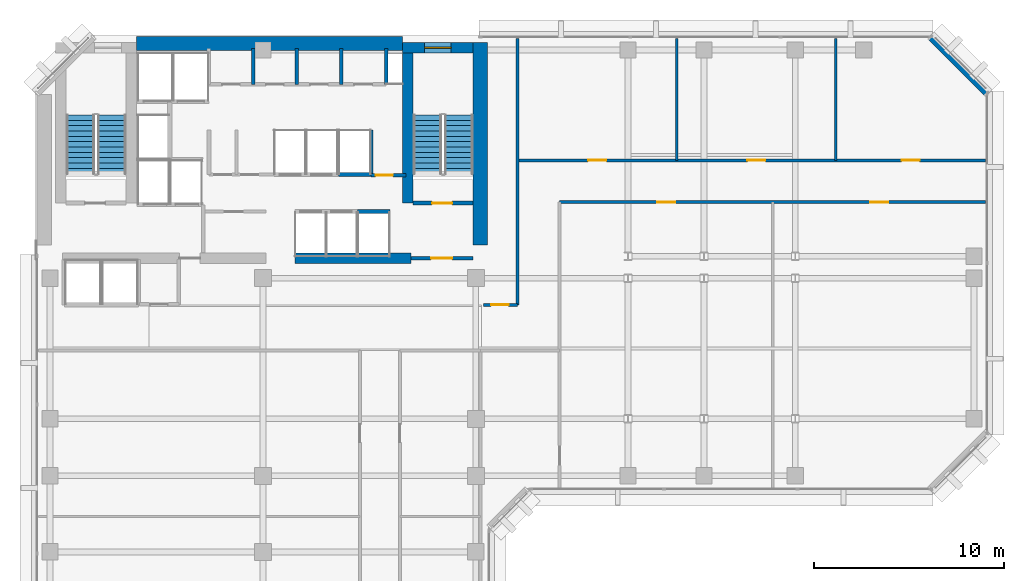
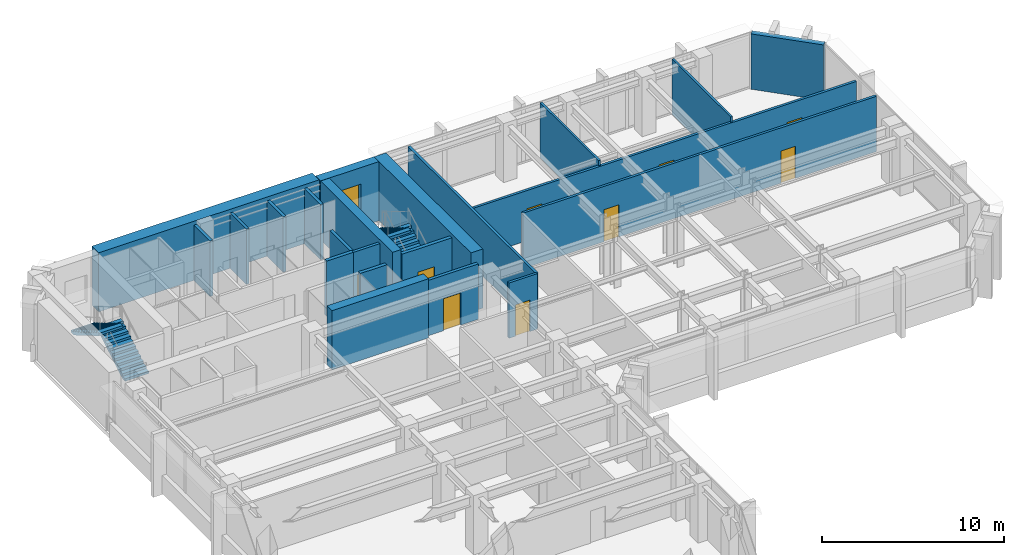
# One storey, part 8 of 11: 22 walls, 9 doors, 4 stair flights, 1 window, 10 openings, 2 elements without a shape of their own.
"""IFC4 building model written with IfcOpenShell, lengths in metres."""

from ifc_helpers import new_model, si_unit, direction, frame, frame_2d, origin, place, context, subcontext, project, spatial, polyline, rectangle, outline, extrude, material, layer, layer_set, type_object, element, fill, aggregate, save


model = new_model("IFC4")

# Units and contexts
model_context = context("Model", 3, precision=1e-05, world=origin(), true_north=direction((0.0, 1.0)))
body_context = subcontext(model_context, "Body", "Model", "MODEL_VIEW")
ifc_project = project(units=[si_unit("LENGTHUNIT", "METRE"), si_unit("AREAUNIT", "SQUARE_METRE"), si_unit("VOLUMEUNIT", "CUBIC_METRE"), si_unit("PLANEANGLEUNIT", "RADIAN"), si_unit("MASSUNIT", "GRAM", prefix="KILO")], contexts=[model_context])

# Site, building, storey
site_placement = place(None, origin())
site = spatial("IfcSite", under=ifc_project, at=site_placement, CompositionType="ELEMENT")
building_placement = place(site_placement, origin())
building = spatial("IfcBuilding", under=site, at=building_placement, Name="Kefirva Bronze Tower", CompositionType="ELEMENT")
storey_placement = place(building_placement, frame((0.0, 0.0, 179.52001953125)))
storey = spatial("IfcBuildingStorey", under=building, at=storey_placement, Name="L43", CompositionType="ELEMENT", Elevation=179.52001953125)

# Walls
ifc_material_1 = material(Name="Gypsum acoustic partition")
ifc_layer_1 = layer(ifc_material_1, 0.1298828125, Name="Gypsum acoustic partition")
ifc_layer_set_1 = layer_set([ifc_layer_1], Name="Gypsum acoustic partition")
wall_type_1 = type_object("IfcWallType", Name="Acoustic Office Partition 130mm", PredefinedType="PARTITIONING", material=ifc_layer_set_1)
for number, where, z_axis, x_axis, name in (
    (1, (33.767333984375, 39.39990234375, 0.0), (0.0, 0.0, 1.0), (0.0, 1.0, 0.0), "L43 Partition W-L43-END1"),
    (2, (42.134765625, 39.39990234375, 0.0), (0.0, 0.0, 1.0), (0.0, 1.0, 0.0), "L43 Partition W-L43-END2"),
):
    element("IfcWall", number, at=place(storey_placement, frame(where, z_axis=z_axis, x_axis=x_axis)), inside=storey, type_object=wall_type_1, Name=name, PredefinedType="PARTITIONING", context=body_context, shape_type="SweptSolid", body=[
        extrude(rectangle(XDim=6.41015625, YDim=0.1298828125, at=frame_2d((3.205078125, 0.0))), origin(), (0.0, 0.0, 1.0), 3.7099609375),
    ])

# Wall, opening, door
ifc_material_2 = material(Name="Gypsum fireboard shaftwall")
ifc_layer_2 = layer(ifc_material_2, 0.219970703125, Name="Gypsum fireboard shaftwall")
ifc_layer_set_2 = layer_set([ifc_layer_2], Name="Gypsum fireboard shaftwall")
wall_type_2 = type_object("IfcWallType", Name="Fire-Rated Shaft Enclosure Wall 220mm", PredefinedType="PARTITIONING", material=ifc_layer_set_2)
wall_1_placement = place(storey_placement, frame((19.89990234375, 37.14990234375, 0.0), z_axis=(0.0, 0.0, 1.0), x_axis=(1.0, 0.0, 0.0)))
wall_1 = element("IfcWall", 3, at=wall_1_placement, inside=storey, type_object=wall_type_2, Name="L43 Partition W-L43-ST2S", PredefinedType="PARTITIONING", context=body_context, shape_type="SweptSolid", body=[
    extrude(rectangle(XDim=3.150146484375, YDim=0.219970703125, at=frame_2d((1.5751953125, 0.0))), origin(), (0.0, 0.0, 1.0), 3.7099609375),
])
opening_1_placement = place(wall_1_placement, frame((2.050048828125, 0.0, 0.0), z_axis=(0.0, 0.0, 1.0), x_axis=(-1.0, 0.0, 0.0)))
opening_1 = element("IfcOpeningElement", 4, at=opening_1_placement, cuts=wall_1, Name="Opening L43-D003", PredefinedType="OPENING", context=body_context, shape_type="SweptSolid", body=[
    extrude(rectangle(XDim=1.050048828125, YDim=2.14990234375, at=frame_2d((0.52490234375, 1.074951171875))), frame((0.0, 0.1201171875, 0.0), z_axis=(0.0, -1.0, 0.0), x_axis=(1.0, 0.0, 0.0)), (0.0, 0.0, 1.0), 0.239990234375),
])
ifc_material_3 = material(Name="Painted galvanized steel", Category="steel")
door_type_1 = type_object("IfcDoorType", Name="Fire Stair Enclosure Door 1050x2150 FD90S", OperationType="NOTDEFINED", PredefinedType="DOOR", material=ifc_material_3)
door_1_placement = place(opening_1_placement, origin())
door_1 = element("IfcDoor", 5, at=door_1_placement, inside=storey, type_object=door_type_1, Name="Door L43-D003", OperationType="SINGLE_SWING_LEFT", OverallHeight=2.14990234375, OverallWidth=1.050048828125, PredefinedType="DOOR", context=body_context, shape_type="SweptSolid", body=[
    extrude(rectangle(XDim=1.050048828125, YDim=2.14990234375, at=frame_2d((0.52490234375, 1.074951171875))), frame((0.0, 0.02490234375, 0.0), z_axis=(0.0, -1.0, 0.0), x_axis=(1.0, 0.0, 0.0)), (0.0, 0.0, 1.0), 0.050048828125),
])
fill(opening_1, door_1)

# Walls
wall_2_placement = place(storey_placement, frame((17.679931640625, 38.64990234375, 0.0), z_axis=(0.0, 0.0, 1.0), x_axis=(0.0, 1.0, 0.0)))
element("IfcWall", 6, at=wall_2_placement, inside=storey, type_object=wall_type_2, Name="L43 Partition W-L43-HP2E", PredefinedType="PARTITIONING", context=body_context, shape_type="SweptSolid", body=[
    extrude(rectangle(XDim=2.35009765625, YDim=0.199951171875, at=frame_2d((1.175048828125, 0.0))), origin(), (0.0, 0.0, 1.0), 3.7099609375),
])
wall_3_placement = place(storey_placement, frame((16.97998046875, 36.699951171875, 0.0), z_axis=(0.0, 0.0, 1.0), x_axis=(1.0, 0.0, 0.0)))
element("IfcWall", 7, at=wall_3_placement, inside=storey, type_object=wall_type_2, Name="L43 Partition W-L43-HPS", PredefinedType="PARTITIONING", context=body_context, shape_type="SweptSolid", body=[
    extrude(rectangle(XDim=1.699951171875, YDim=0.219970703125, at=frame_2d((0.85009765625, 0.0))), origin(), (0.0, 0.0, 1.0), 3.7099609375),
])
wall_4_placement = place(storey_placement, frame((15.97998046875, 38.64990234375, 0.0), z_axis=(0.0, 0.0, 1.0), x_axis=(1.0, 0.0, 0.0)))
element("IfcWall", 8, at=wall_4_placement, inside=storey, type_object=wall_type_2, Name="L43 Partition W-L43-HPN", PredefinedType="PARTITIONING", context=body_context, shape_type="SweptSolid", body=[
    extrude(rectangle(XDim=1.719970703125, YDim=0.219970703125, at=frame_2d((0.85986328125, 0.0))), origin(), (0.0, 0.0, 1.0), 3.7099609375),
])

# Wall, opening, door
ifc_material_4 = material(Name="Gypsum fireboard barrier")
ifc_layer_3 = layer(ifc_material_4, 0.199951171875, Name="Gypsum fireboard barrier")
ifc_layer_set_3 = layer_set([ifc_layer_3], Name="Gypsum fireboard barrier")
wall_type_3 = type_object("IfcWallType", Name="Firefighting Lobby Barrier Wall 200mm", PredefinedType="PARTITIONING", material=ifc_layer_set_3)
wall_5_placement = place(storey_placement, frame((19.800048828125, 34.25, 0.0), z_axis=(0.0, 0.0, 1.0), x_axis=(1.0, 0.0, 0.0)))
wall_5 = element("IfcWall", 9, at=wall_5_placement, inside=storey, type_object=wall_type_3, Name="L43 Partition W-L43-ST2F", PredefinedType="PARTITIONING", context=body_context, shape_type="SweptSolid", body=[
    extrude(rectangle(XDim=3.25, YDim=0.199951171875, at=frame_2d((1.625, 0.0))), origin(), (0.0, 0.0, 1.0), 3.7099609375),
])
opening_2_placement = place(wall_5_placement, frame((2.150146484375, 0.0, 0.0), z_axis=(0.0, 0.0, 1.0), x_axis=(-1.0, 0.0, 0.0)))
opening_2 = element("IfcOpeningElement", 10, at=opening_2_placement, cuts=wall_5, Name="Opening L43-D004", PredefinedType="OPENING", context=body_context, shape_type="SweptSolid", body=[
    extrude(rectangle(XDim=1.10009765625, YDim=2.14990234375, at=frame_2d((0.550048828125, 1.074951171875))), frame((0.0, 0.10986328125, 0.0), z_axis=(0.0, -1.0, 0.0), x_axis=(1.0, 0.0, 0.0)), (0.0, 0.0, 1.0), 0.219970703125),
])
door_type_2 = type_object("IfcDoorType", Name="Firefighting Lobby Smoke Door 1100x2150 FD60S", OperationType="NOTDEFINED", PredefinedType="DOOR", material=ifc_material_3)
door_2_placement = place(opening_2_placement, origin())
door_2 = element("IfcDoor", 11, at=door_2_placement, inside=storey, type_object=door_type_2, Name="Door L43-D004", OperationType="SINGLE_SWING_RIGHT", OverallHeight=2.14990234375, OverallWidth=1.10009765625, PredefinedType="DOOR", context=body_context, shape_type="SweptSolid", body=[
    extrude(rectangle(XDim=1.10009765625, YDim=2.14990234375, at=frame_2d((0.550048828125, 1.074951171875))), frame((0.0, 0.02490234375, 0.0), z_axis=(0.0, -1.0, 0.0), x_axis=(1.0, 0.0, 0.0)), (0.0, 0.0, 1.0), 0.050048828125),
])
fill(opening_2, door_2)

wall_6_placement = place(storey_placement, frame((17.679931640625, 38.6201171875, 0.0), z_axis=(0.0, 0.0, 1.0), x_axis=(1.0, 0.0, 0.0)))
wall_6 = element("IfcWall", 12, at=wall_6_placement, inside=storey, type_object=wall_type_3, Name="L43 Partition W-L43-CPASS", PredefinedType="PARTITIONING", context=body_context, shape_type="SweptSolid", body=[
    extrude(rectangle(XDim=1.840087890625, YDim=0.179931640625, at=frame_2d((0.919921875, 0.0))), origin(), (0.0, 0.0, 1.0), 3.7099609375),
])
opening_3_placement = place(wall_6_placement, frame((0.239990234375, 0.0, 0.0)))
opening_3 = element("IfcOpeningElement", 13, at=opening_3_placement, cuts=wall_6, Name="Opening L43-D-CPAS", PredefinedType="OPENING", context=body_context, shape_type="SweptSolid", body=[
    extrude(rectangle(XDim=0.919921875, YDim=2.10009765625, at=frame_2d((0.4599609375, 1.050048828125))), frame((0.0, 0.10009765625, 0.0), z_axis=(0.0, -1.0, 0.0), x_axis=(1.0, 0.0, 0.0)), (0.0, 0.0, 1.0), 0.199951171875),
])
ifc_material_5 = material(Name="Moisture-resistant timber", Category="wood")
door_type_3 = type_object("IfcDoorType", Name="Accessible Sanitary & WC Door 920x2100", OperationType="NOTDEFINED", PredefinedType="DOOR", material=ifc_material_5)
door_3_placement = place(opening_3_placement, origin())
door_3 = element("IfcDoor", 14, at=door_3_placement, inside=storey, type_object=door_type_3, Name="Door L43-D-CPAS", OperationType="SINGLE_SWING_LEFT", OverallHeight=2.10009765625, OverallWidth=0.919921875, PredefinedType="DOOR", context=body_context, shape_type="SweptSolid", body=[
    extrude(rectangle(XDim=0.919921875, YDim=2.10009765625, at=frame_2d((0.4599609375, 1.050048828125))), frame((0.0, 0.02490234375, 0.0), z_axis=(0.0, -1.0, 0.0), x_axis=(1.0, 0.0, 0.0)), (0.0, 0.0, 1.0), 0.050048828125),
])
fill(opening_3, door_3)

# Walls
ifc_material_6 = material(Name="Precast concrete C40/50", Category="concrete")
ifc_layer_4 = layer(ifc_material_6, 0.320068359375, Name="Precast concrete C40/50")
ifc_layer_set_4 = layer_set([ifc_layer_4], Name="Precast concrete C40/50")
wall_type_4 = type_object("IfcWallType", Name="Precast Insulated Exterior Wall 320mm", PredefinedType="SOLIDWALL", material=ifc_layer_set_4)
wall_7_placement = place(storey_placement, frame((50.048095703125, 42.92578125, 0.0), z_axis=(0.0, 0.0, 1.0), x_axis=(-0.707136318428, 0.707077242712, 0.0)))
element("IfcWall", 15, at=wall_7_placement, inside=storey, type_object=wall_type_4, Name="L43 Exterior Facade Wall 4", PredefinedType="SOLIDWALL", context=body_context, shape_type="SweptSolid", body=[
    extrude(rectangle(XDim=4.132568359375, YDim=0.320068359375, at=frame_2d((2.06640625, 0.0))), origin(), (0.0, 0.0, 1.0), 3.7099609375),
])
ifc_layer_5 = layer(ifc_material_1, 0.159912109375, Name="Gypsum acoustic partition")
ifc_layer_set_5 = layer_set([ifc_layer_5], Name="Gypsum acoustic partition")
wall_type_5 = type_object("IfcWallType", Name="Protected Corridor Partition 160mm", PredefinedType="PARTITIONING", material=ifc_layer_set_5)
wall_8_placement = place(storey_placement, frame((25.39990234375, 31.800048828125, 0.0), z_axis=(0.0, 0.0, 1.0), x_axis=(0.0, 1.0, 0.0)))
element("IfcWall", 16, at=wall_8_placement, inside=storey, type_object=wall_type_5, Name="L43 Partition W-L43-ELKW", PredefinedType="PARTITIONING", context=body_context, shape_type="SweptSolid", body=[
    extrude(rectangle(XDim=14.010009765625, YDim=0.159912109375, at=frame_2d((7.0048828125, 0.0))), origin(), (0.0, 0.0, 1.0), 3.7099609375),
])

# Wall, openings, doors
wall_9_placement = place(storey_placement, frame((27.60009765625, 37.199951171875, 0.0), z_axis=(0.0, 0.0, 1.0), x_axis=(1.0, 0.0, 0.0)))
wall_9 = element("IfcWall", 17, at=wall_9_placement, inside=storey, type_object=wall_type_5, Name="L43 Partition W-L43-ECS", PredefinedType="PARTITIONING", context=body_context, shape_type="SweptSolid", body=[
    extrude(rectangle(XDim=22.409912109375, YDim=0.159912109375, at=frame_2d((11.205078125, 0.0))), origin(), (0.0, 0.0, 1.0), 3.7099609375),
])
opening_4_placement = place(wall_9_placement, frame((6.077392578125, 0.0, 0.0), z_axis=(0.0, 0.0, 1.0), x_axis=(-1.0, 0.0, 0.0)))
opening_4 = element("IfcOpeningElement", 18, at=opening_4_placement, cuts=wall_9, Name="Opening L43-D-ES1", PredefinedType="OPENING", context=body_context, shape_type="SweptSolid", body=[
    extrude(rectangle(XDim=0.949951171875, YDim=2.14990234375, at=frame_2d((0.47509765625, 1.074951171875))), frame((0.0, 0.08984375, 0.0), z_axis=(0.0, -1.0, 0.0), x_axis=(1.0, 0.0, 0.0)), (0.0, 0.0, 1.0), 0.179931640625),
])
opening_5_placement = place(wall_9_placement, frame((17.282470703125, 0.0, 0.0), z_axis=(0.0, 0.0, 1.0), x_axis=(-1.0, 0.0, 0.0)))
opening_5 = element("IfcOpeningElement", 19, at=opening_5_placement, cuts=wall_9, Name="Opening L43-D-ES2", PredefinedType="OPENING", context=body_context, shape_type="SweptSolid", body=[
    extrude(rectangle(XDim=0.949951171875, YDim=2.14990234375, at=frame_2d((0.47509765625, 1.074951171875))), frame((0.0, 0.08984375, 0.0), z_axis=(0.0, -1.0, 0.0), x_axis=(1.0, 0.0, 0.0)), (0.0, 0.0, 1.0), 0.179931640625),
])
ifc_material_7 = material(Name="Acoustic hardwood oak", Category="wood")
door_type_4 = type_object("IfcDoorType", Name="Office & Meeting Room Door 950x2150", OperationType="NOTDEFINED", PredefinedType="DOOR", material=ifc_material_7)
door_4_placement = place(opening_4_placement, origin())
door_4 = element("IfcDoor", 20, at=door_4_placement, inside=storey, type_object=door_type_4, Name="Door L43-D-ES1", OperationType="SINGLE_SWING_LEFT", OverallHeight=2.14990234375, OverallWidth=0.949951171875, PredefinedType="DOOR", context=body_context, shape_type="SweptSolid", body=[
    extrude(rectangle(XDim=0.949951171875, YDim=2.14990234375, at=frame_2d((0.47509765625, 1.074951171875))), frame((0.0, 0.02490234375, 0.0), z_axis=(0.0, -1.0, 0.0), x_axis=(1.0, 0.0, 0.0)), (0.0, 0.0, 1.0), 0.050048828125),
])
fill(opening_4, door_4)
door_5_placement = place(opening_5_placement, origin())
door_5 = element("IfcDoor", 21, at=door_5_placement, inside=storey, type_object=door_type_4, Name="Door L43-D-ES2", OperationType="SINGLE_SWING_RIGHT", OverallHeight=2.14990234375, OverallWidth=0.949951171875, PredefinedType="DOOR", context=body_context, shape_type="SweptSolid", body=[
    extrude(rectangle(XDim=0.949951171875, YDim=2.14990234375, at=frame_2d((0.47509765625, 1.074951171875))), frame((0.0, 0.02490234375, 0.0), z_axis=(0.0, -1.0, 0.0), x_axis=(1.0, 0.0, 0.0)), (0.0, 0.0, 1.0), 0.050048828125),
])
fill(opening_5, door_5)

wall_10_placement = place(storey_placement, frame((25.39990234375, 39.39990234375, 0.0), z_axis=(0.0, 0.0, 1.0), x_axis=(1.0, 0.0, 0.0)))
wall_10 = element("IfcWall", 22, at=wall_10_placement, inside=storey, type_object=wall_type_5, Name="L43 Partition W-L43-ECN", PredefinedType="PARTITIONING", context=body_context, shape_type="SweptSolid", body=[
    extrude(rectangle(XDim=24.610107421875, YDim=0.159912109375, at=frame_2d((12.30517578125, 0.0))), origin(), (0.0, 0.0, 1.0), 3.364990234375),
])
opening_6_placement = place(wall_10_placement, frame((3.708740234375, 0.0, 0.0)))
opening_6 = element("IfcOpeningElement", 23, at=opening_6_placement, cuts=wall_10, Name="Opening L43-D-EN1", PredefinedType="OPENING", context=body_context, shape_type="SweptSolid", body=[
    extrude(rectangle(XDim=0.949951171875, YDim=2.14990234375, at=frame_2d((0.47509765625, 1.074951171875))), frame((0.0, 0.08984375, 0.0), z_axis=(0.0, -1.0, 0.0), x_axis=(1.0, 0.0, 0.0)), (0.0, 0.0, 1.0), 0.179931640625),
])
opening_7_placement = place(wall_10_placement, frame((12.076171875, 0.0, 0.0)))
opening_7 = element("IfcOpeningElement", 24, at=opening_7_placement, cuts=wall_10, Name="Opening L43-D-EN2", PredefinedType="OPENING", context=body_context, shape_type="SweptSolid", body=[
    extrude(rectangle(XDim=0.949951171875, YDim=2.14990234375, at=frame_2d((0.47509765625, 1.074951171875))), frame((0.0, 0.08984375, 0.0), z_axis=(0.0, -1.0, 0.0), x_axis=(1.0, 0.0, 0.0)), (0.0, 0.0, 1.0), 0.179931640625),
])
opening_8_placement = place(wall_10_placement, frame((20.197509765625, 0.0, 0.0)))
opening_8 = element("IfcOpeningElement", 25, at=opening_8_placement, cuts=wall_10, Name="Opening L43-D-EN3", PredefinedType="OPENING", context=body_context, shape_type="SweptSolid", body=[
    extrude(rectangle(XDim=0.949951171875, YDim=2.14990234375, at=frame_2d((0.47509765625, 1.074951171875))), frame((0.0, 0.08984375, 0.0), z_axis=(0.0, -1.0, 0.0), x_axis=(1.0, 0.0, 0.0)), (0.0, 0.0, 1.0), 0.179931640625),
])
door_6_placement = place(opening_6_placement, origin())
door_6 = element("IfcDoor", 26, at=door_6_placement, inside=storey, type_object=door_type_4, Name="Door L43-D-EN1", OperationType="SINGLE_SWING_LEFT", OverallHeight=2.14990234375, OverallWidth=0.949951171875, PredefinedType="DOOR", context=body_context, shape_type="SweptSolid", body=[
    extrude(rectangle(XDim=0.949951171875, YDim=2.14990234375, at=frame_2d((0.47509765625, 1.074951171875))), frame((0.0, 0.02490234375, 0.0), z_axis=(0.0, -1.0, 0.0), x_axis=(1.0, 0.0, 0.0)), (0.0, 0.0, 1.0), 0.050048828125),
])
fill(opening_6, door_6)
door_7_placement = place(opening_7_placement, origin())
door_7 = element("IfcDoor", 27, at=door_7_placement, inside=storey, type_object=door_type_4, Name="Door L43-D-EN2", OperationType="SINGLE_SWING_RIGHT", OverallHeight=2.14990234375, OverallWidth=0.949951171875, PredefinedType="DOOR", context=body_context, shape_type="SweptSolid", body=[
    extrude(rectangle(XDim=0.949951171875, YDim=2.14990234375, at=frame_2d((0.47509765625, 1.074951171875))), frame((0.0, 0.02490234375, 0.0), z_axis=(0.0, -1.0, 0.0), x_axis=(1.0, 0.0, 0.0)), (0.0, 0.0, 1.0), 0.050048828125),
])
fill(opening_7, door_7)
door_8_placement = place(opening_8_placement, origin())
door_8 = element("IfcDoor", 28, at=door_8_placement, inside=storey, type_object=door_type_4, Name="Door L43-D-EN3", OperationType="SINGLE_SWING_LEFT", OverallHeight=2.14990234375, OverallWidth=0.949951171875, PredefinedType="DOOR", context=body_context, shape_type="SweptSolid", body=[
    extrude(rectangle(XDim=0.949951171875, YDim=2.14990234375, at=frame_2d((0.47509765625, 1.074951171875))), frame((0.0, 0.02490234375, 0.0), z_axis=(0.0, -1.0, 0.0), x_axis=(1.0, 0.0, 0.0)), (0.0, 0.0, 1.0), 0.050048828125),
])
fill(opening_8, door_8)

# Wall, opening, door
wall_11_placement = place(storey_placement, frame((23.60009765625, 31.800048828125, 0.0), z_axis=(0.0, 0.0, 1.0), x_axis=(1.0, 0.0, 0.0)))
wall_11 = element("IfcWall", 29, at=wall_11_placement, inside=storey, type_object=wall_type_5, Name="L43 Partition W-L43-EPKS", PredefinedType="PARTITIONING", context=body_context, shape_type="SweptSolid", body=[
    extrude(rectangle(XDim=1.7998046875, YDim=0.159912109375, at=frame_2d((0.89990234375, 0.0))), origin(), (0.0, 0.0, 1.0), 3.7099609375),
])
opening_9_placement = place(wall_11_placement, frame((0.39990234375, 0.0, 0.0)))
opening_9 = element("IfcOpeningElement", 30, at=opening_9_placement, cuts=wall_11, Name="Opening L43-D-EPK", PredefinedType="OPENING", context=body_context, shape_type="SweptSolid", body=[
    extrude(rectangle(XDim=0.919921875, YDim=2.10009765625, at=frame_2d((0.4599609375, 1.050048828125))), frame((0.0, 0.08984375, 0.0), z_axis=(0.0, -1.0, 0.0), x_axis=(1.0, 0.0, 0.0)), (0.0, 0.0, 1.0), 0.179931640625),
])
door_9_placement = place(opening_9_placement, origin())
door_9 = element("IfcDoor", 31, at=door_9_placement, inside=storey, type_object=door_type_3, Name="Door L43-D-EPK", OperationType="SINGLE_SWING_LEFT", OverallHeight=2.10009765625, OverallWidth=0.919921875, PredefinedType="DOOR", context=body_context, shape_type="SweptSolid", body=[
    extrude(rectangle(XDim=0.919921875, YDim=2.10009765625, at=frame_2d((0.4599609375, 1.050048828125))), frame((0.0, 0.02490234375, 0.0), z_axis=(0.0, -1.0, 0.0), x_axis=(1.0, 0.0, 0.0)), (0.0, 0.0, 1.0), 0.050048828125),
])
fill(opening_9, door_9)

# Wall, opening, window
ifc_material_8 = material(Name="Concrete C50/60", Category="concrete")
ifc_layer_6 = layer(ifc_material_8, 0.550048828125, Name="Concrete C50/60")
ifc_layer_set_6 = layer_set([ifc_layer_6], Name="Concrete C50/60")
wall_type_6 = type_object("IfcWallType", Name="RC Rear Core Exterior Wall 550mm", PredefinedType="SHEAR", material=ifc_layer_set_6)
wall_12_placement = place(storey_placement, frame((19.35009765625, 45.320068359375, 0.0), z_axis=(0.0, 0.0, 1.0), x_axis=(1.0, 0.0, 0.0)))
wall_12 = element("IfcWall", 32, at=wall_12_placement, inside=storey, type_object=wall_type_6, Name="L43 Stair 2 North Shear Wall", PredefinedType="SHEAR", context=body_context, shape_type="SweptSolid", body=[
    extrude(rectangle(XDim=3.68994140625, YDim=0.550048828125, at=frame_2d((1.844970703125, 0.0))), origin(), (0.0, 0.0, 1.0), 3.9599609375),
])
opening_10_placement = place(wall_12_placement, frame((1.14990234375, 0.0, 1.050048828125)))
opening_10 = element("IfcOpeningElement", 33, at=opening_10_placement, cuts=wall_12, Name="Opening WN-03", PredefinedType="OPENING", context=body_context, shape_type="SweptSolid", body=[
    extrude(rectangle(XDim=1.39990234375, YDim=1.800048828125, at=frame_2d((0.699951171875, 0.89990234375))), frame((0.0, 0.28515625, 0.0), z_axis=(0.0, -1.0, 0.0), x_axis=(1.0, 0.0, 0.0)), (0.0, 0.0, 1.0), 0.570068359375),
])
ifc_material_9 = material(Name="Laminated low-E double glazing", Category="glass")
window_type = type_object("IfcWindowType", Name="Rear-Core Stair Daylight Window 1400x1800", PartitioningType="SINGLE_PANEL", PredefinedType="WINDOW", material=ifc_material_9)
window_placement = place(opening_10_placement, origin())
window = element("IfcWindow", 34, at=window_placement, inside=storey, type_object=window_type, Name="L43 Stair 2 Daylight Window", OverallHeight=1.800048828125, OverallWidth=1.39990234375, PartitioningType="SINGLE_PANEL", PredefinedType="WINDOW", context=body_context, shape_type="SweptSolid", body=[
    extrude(rectangle(XDim=1.39990234375, YDim=1.800048828125, at=frame_2d((0.699951171875, 0.89990234375))), frame((0.0, 0.030029296875, 0.0), z_axis=(0.0, -1.0, 0.0), x_axis=(1.0, 0.0, 0.0)), (0.0, 0.0, 1.0), 0.06005859375),
])
fill(opening_10, window)

# Walls
ifc_material_10 = material(Name="Concrete C60/75", Category="concrete")
ifc_layer_7 = layer(ifc_material_10, 0.75, Name="Concrete C60/75")
ifc_layer_set_7 = layer_set([ifc_layer_7], Name="Concrete C60/75")
wall_type_7 = type_object("IfcWallType", Name="RC Rear Core Exterior Wall 750mm", PredefinedType="SHEAR", material=ifc_layer_set_7)
wall_13_placement = place(storey_placement, frame((5.360107421875, 45.550048828125, 0.0), z_axis=(0.0, 0.0, 1.0), x_axis=(1.0, 0.0, 0.0)))
element("IfcWall", 35, at=wall_13_placement, inside=storey, type_object=wall_type_7, Name="L43 Rear Core North Shear Wall", PredefinedType="SHEAR", context=body_context, shape_type="SweptSolid", body=[
    extrude(rectangle(XDim=13.97998046875, YDim=0.75, at=frame_2d((6.989990234375, 0.0))), origin(), (0.0, 0.0, 1.0), 3.9599609375),
])
ifc_layer_8 = layer(ifc_material_8, 0.550048828125, Name="Concrete C50/60")
ifc_layer_set_8 = layer_set([ifc_layer_8], Name="Concrete C50/60")
wall_type_8 = type_object("IfcWallType", Name="RC Rear Core Interior Wall 550mm", PredefinedType="SHEAR", material=ifc_layer_set_8)
wall_14_placement = place(storey_placement, frame((19.6201171875, 37.14990234375, 0.0), z_axis=(0.0, 0.0, 1.0), x_axis=(0.0, 1.0, 0.0)))
element("IfcWall", 36, at=wall_14_placement, inside=storey, type_object=wall_type_8, Name="L43 Stair 2 West Shear Wall", PredefinedType="SHEAR", context=body_context, shape_type="SweptSolid", body=[
    extrude(rectangle(XDim=7.89013671875, YDim=0.550048828125, at=frame_2d((3.945068359375, 0.0))), origin(), (0.0, 0.0, 1.0), 3.9599609375),
])
ifc_layer_9 = layer(ifc_material_10, 0.75, Name="Concrete C60/75")
ifc_layer_set_9 = layer_set([ifc_layer_9], Name="Concrete C60/75")
wall_type_9 = type_object("IfcWallType", Name="RC Rear Core Interior Wall 750mm", PredefinedType="SHEAR", material=ifc_layer_set_9)
wall_15_placement = place(storey_placement, frame((23.425048828125, 34.949951171875, 0.0), z_axis=(0.0, 0.0, 1.0), x_axis=(0.0, 1.0, 0.0)))
element("IfcWall", 37, at=wall_15_placement, inside=storey, type_object=wall_type_9, Name="L43 Rear Core East Shear Wall", PredefinedType="SHEAR", context=body_context, shape_type="SweptSolid", body=[
    extrude(rectangle(XDim=10.64013671875, YDim=0.75, at=frame_2d((5.320068359375, 0.0))), origin(), (0.0, 0.0, 1.0), 3.9599609375),
])
wall_16_placement = place(storey_placement, frame((13.679931640625, 34.25, 0.0), z_axis=(0.0, 0.0, 1.0), x_axis=(1.0, 0.0, 0.0)))
element("IfcWall", 38, at=wall_16_placement, inside=storey, type_object=wall_type_9, Name="L43 Rear Core South-East Shear Wall", PredefinedType="SHEAR", context=body_context, shape_type="SweptSolid", body=[
    extrude(rectangle(XDim=6.1201171875, YDim=0.550048828125, at=frame_2d((3.06005859375, 0.0))), origin(), (0.0, 0.0, 1.0), 3.9599609375),
])
ifc_material_11 = material(Name="Moisture-resistant partition")
ifc_layer_10 = layer(ifc_material_11, 0.179931640625, Name="Moisture-resistant partition")
ifc_layer_set_10 = layer_set([ifc_layer_10], Name="Moisture-resistant partition")
wall_type_10 = type_object("IfcWallType", Name="Sanitary Plumbing Chase Wall 180mm", PredefinedType="PLUMBINGWALL", material=ifc_layer_set_10)
for number, where, z_axis, x_axis, name in (
    (39, (18.47998046875, 43.39990234375, 0.0), (0.0, 0.0, 1.0), (0.0, 1.0, 0.0), "L43 Partition W-L43-SVCE"),
    (40, (11.47998046875, 43.39990234375, 0.0), (0.0, 0.0, 1.0), (0.0, 1.0, 0.0), "L43 Partition W-L43-CSVD-1"),
    (41, (13.780029296875, 43.39990234375, 0.0), (0.0, 0.0, 1.0), (0.0, 1.0, 0.0), "L43 Partition W-L43-CSVD-2"),
    (42, (16.1201171875, 43.39990234375, 0.0), (0.0, 0.0, 1.0), (0.0, 1.0, 0.0), "L43 Partition W-L43-CSVD-3"),
):
    element("IfcWall", number, at=place(storey_placement, frame(where, z_axis=z_axis, x_axis=x_axis)), inside=storey, type_object=wall_type_10, Name=name, PredefinedType="PLUMBINGWALL", context=body_context, shape_type="SweptSolid", body=[
        extrude(rectangle(XDim=1.880126953125, YDim=0.179931640625, at=frame_2d((0.93994140625, 0.0))), origin(), (0.0, 0.0, 1.0), 3.7099609375),
    ])

# Stair, stair flights
ifc_material_12 = material(Name="Concrete C40/50", Category="concrete")
stair_type = type_object("IfcStairType", Name="RC Dogleg Protected Stair 24R", PredefinedType="HALF_TURN_STAIR", material=ifc_material_12)
stair_1_placement = place(storey_placement, origin())
stair_1 = element("IfcStair", 43, at=stair_1_placement, inside=storey, type_object=stair_type, Name="L43 Protected Exit Stair 1", PredefinedType="HALF_TURN_STAIR")
stair_flight_type = type_object("IfcStairFlightType", Name="RC Straight Stair Flight 24R", PredefinedType="STRAIGHT", material=ifc_material_12)
stair_flight_1_placement = place(storey_placement, frame((4.050048828125, 38.699951171875, 0.0), z_axis=(0.0, 0.0, 1.0), x_axis=(0.0, 1.0, 0.0)))
stair_flight_1 = element("IfcStairFlight", 44, at=stair_flight_1_placement, type_object=stair_flight_type, Name="ST-1 flight 1", NumberOfRisers=12, NumberOfTreads=11, PredefinedType="STRAIGHT", RiserHeight=0.165, TreadLength=0.28, context=body_context, shape_type="SweptSolid", body=[
    extrude(outline(polyline([(0.0, 0.0), (0.0, 0.1650390625), (0.280029296875, 0.1650390625), (0.280029296875, 0.330078125), (0.56005859375, 0.330078125), (0.56005859375, 0.4951171875), (0.840087890625, 0.4951171875), (0.840087890625, 0.659912109375), (1.1201171875, 0.659912109375), (1.1201171875, 0.824951171875), (1.39990234375, 0.824951171875), (1.39990234375, 0.989990234375), (1.679931640625, 0.989990234375), (1.679931640625, 1.155029296875), (1.9599609375, 1.155029296875), (1.9599609375, 1.320068359375), (2.239990234375, 1.320068359375), (2.239990234375, 1.485107421875), (2.52001953125, 1.485107421875), (2.52001953125, 1.64990234375), (2.800048828125, 1.64990234375), (2.800048828125, 1.81494140625), (3.080078125, 1.81494140625), (3.080078125, 1.97998046875), (3.080078125, 1.64111328125), (0.295166015625, 0.0), (0.0, 0.0)])), frame((0.0, 0.75, 0.0), z_axis=(0.0, -1.0, 0.0), x_axis=(1.0, 0.0, 0.0)), (0.0, 0.0, 1.0), 1.5),
])
stair_flight_2_placement = place(storey_placement, frame((2.39990234375, 41.780029296875, 1.97998046875), z_axis=(0.0, 0.0, 1.0), x_axis=(0.0, -1.0, 0.0)))
stair_flight_2 = element("IfcStairFlight", 45, at=stair_flight_2_placement, type_object=stair_flight_type, Name="ST-1 flight 2", NumberOfRisers=12, NumberOfTreads=11, PredefinedType="STRAIGHT", RiserHeight=0.165, TreadLength=0.28, context=body_context, shape_type="SweptSolid", body=[
    extrude(outline(polyline([(0.0, 0.0), (0.0, 0.1650390625), (0.280029296875, 0.1650390625), (0.280029296875, 0.330078125), (0.56005859375, 0.330078125), (0.56005859375, 0.4951171875), (0.840087890625, 0.4951171875), (0.840087890625, 0.659912109375), (1.1201171875, 0.659912109375), (1.1201171875, 0.824951171875), (1.39990234375, 0.824951171875), (1.39990234375, 0.989990234375), (1.679931640625, 0.989990234375), (1.679931640625, 1.155029296875), (1.9599609375, 1.155029296875), (1.9599609375, 1.320068359375), (2.239990234375, 1.320068359375), (2.239990234375, 1.485107421875), (2.52001953125, 1.485107421875), (2.52001953125, 1.64990234375), (2.800048828125, 1.64990234375), (2.800048828125, 1.81494140625), (3.080078125, 1.81494140625), (3.080078125, 1.97998046875), (3.080078125, 1.64111328125), (0.295166015625, 0.0), (0.0, 0.0)])), frame((0.0, 0.75, 0.0), z_axis=(0.0, -1.0, 0.0), x_axis=(1.0, 0.0, 0.0)), (0.0, 0.0, 1.0), 1.5),
])
aggregate(stair_1, [stair_flight_1, stair_flight_2])

stair_2_placement = place(storey_placement, origin())
stair_2 = element("IfcStair", 46, at=stair_2_placement, inside=storey, type_object=stair_type, Name="L43 Protected Exit Stair 2", PredefinedType="HALF_TURN_STAIR")
stair_flight_3_placement = place(storey_placement, frame((22.300048828125, 38.699951171875, 0.0), z_axis=(0.0, 0.0, 1.0), x_axis=(0.0, 1.0, 0.0)))
stair_flight_3 = element("IfcStairFlight", 47, at=stair_flight_3_placement, type_object=stair_flight_type, Name="ST-2 flight 1", NumberOfRisers=12, NumberOfTreads=11, PredefinedType="STRAIGHT", RiserHeight=0.165, TreadLength=0.28, context=body_context, shape_type="SweptSolid", body=[
    extrude(outline(polyline([(0.0, 0.0), (0.0, 0.1650390625), (0.280029296875, 0.1650390625), (0.280029296875, 0.330078125), (0.56005859375, 0.330078125), (0.56005859375, 0.4951171875), (0.840087890625, 0.4951171875), (0.840087890625, 0.659912109375), (1.1201171875, 0.659912109375), (1.1201171875, 0.824951171875), (1.39990234375, 0.824951171875), (1.39990234375, 0.989990234375), (1.679931640625, 0.989990234375), (1.679931640625, 1.155029296875), (1.9599609375, 1.155029296875), (1.9599609375, 1.320068359375), (2.239990234375, 1.320068359375), (2.239990234375, 1.485107421875), (2.52001953125, 1.485107421875), (2.52001953125, 1.64990234375), (2.800048828125, 1.64990234375), (2.800048828125, 1.81494140625), (3.080078125, 1.81494140625), (3.080078125, 1.97998046875), (3.080078125, 1.64111328125), (0.295166015625, 0.0), (0.0, 0.0)])), frame((0.0, 0.75, 0.0), z_axis=(0.0, -1.0, 0.0), x_axis=(1.0, 0.0, 0.0)), (0.0, 0.0, 1.0), 1.5),
])
stair_flight_4_placement = place(storey_placement, frame((20.64990234375, 41.780029296875, 1.97998046875), z_axis=(0.0, 0.0, 1.0), x_axis=(0.0, -1.0, 0.0)))
stair_flight_4 = element("IfcStairFlight", 48, at=stair_flight_4_placement, type_object=stair_flight_type, Name="ST-2 flight 2", NumberOfRisers=12, NumberOfTreads=11, PredefinedType="STRAIGHT", RiserHeight=0.165, TreadLength=0.28, context=body_context, shape_type="SweptSolid", body=[
    extrude(outline(polyline([(0.0, 0.0), (0.0, 0.1650390625), (0.280029296875, 0.1650390625), (0.280029296875, 0.330078125), (0.56005859375, 0.330078125), (0.56005859375, 0.4951171875), (0.840087890625, 0.4951171875), (0.840087890625, 0.659912109375), (1.1201171875, 0.659912109375), (1.1201171875, 0.824951171875), (1.39990234375, 0.824951171875), (1.39990234375, 0.989990234375), (1.679931640625, 0.989990234375), (1.679931640625, 1.155029296875), (1.9599609375, 1.155029296875), (1.9599609375, 1.320068359375), (2.239990234375, 1.320068359375), (2.239990234375, 1.485107421875), (2.52001953125, 1.485107421875), (2.52001953125, 1.64990234375), (2.800048828125, 1.64990234375), (2.800048828125, 1.81494140625), (3.080078125, 1.81494140625), (3.080078125, 1.97998046875), (3.080078125, 1.64111328125), (0.295166015625, 0.0), (0.0, 0.0)])), frame((0.0, 0.75, 0.0), z_axis=(0.0, -1.0, 0.0), x_axis=(1.0, 0.0, 0.0)), (0.0, 0.0, 1.0), 1.5),
])
aggregate(stair_2, [stair_flight_3, stair_flight_4])

save(model, "model.ifc")
